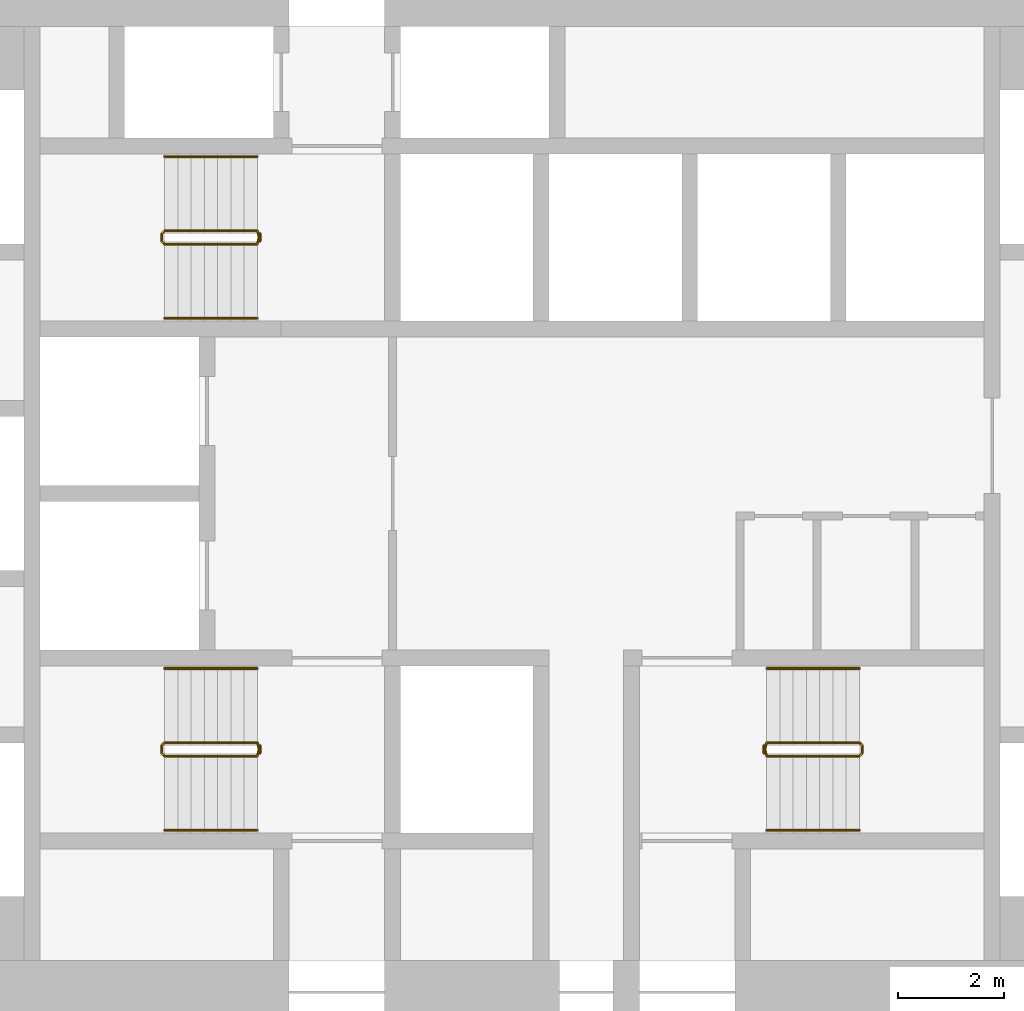
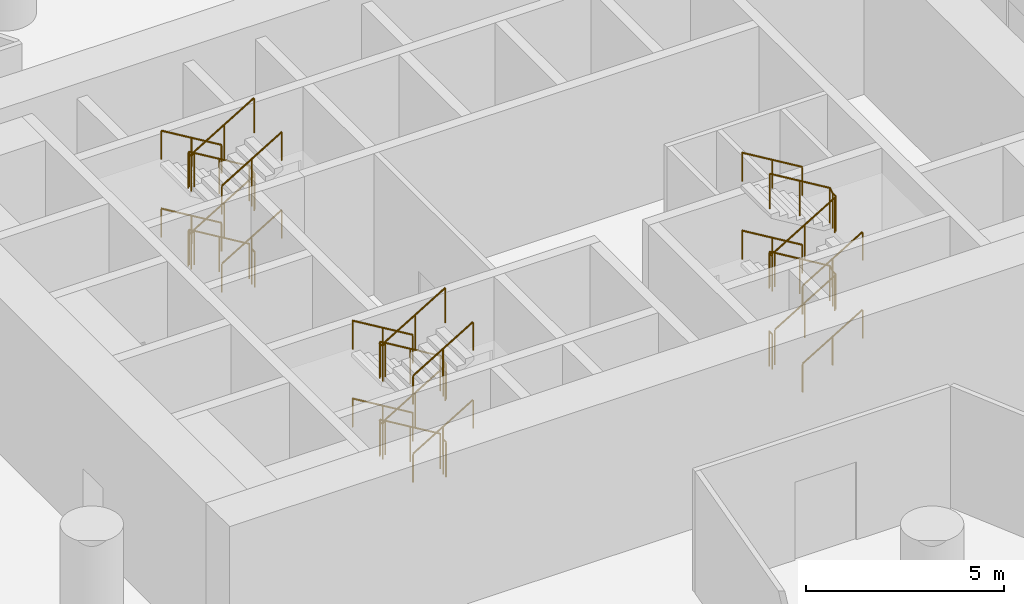
# One storey, part 11 of 11: 18 railings.
"""IFC4 building model written with IfcOpenShell, lengths in metres."""

from ifc_helpers import new_model, si_unit, direction, frame, origin, origin_2d, place, context, subcontext, project, spatial, circle, extrude, material, type_object, element, save


model = new_model("IFC4")

# Units and contexts
model_context = context("Model", 3, precision=1e-05, world=origin(), true_north=direction((0.0, 1.0)))
body_context = subcontext(model_context, "Body", "Model", "MODEL_VIEW")
ifc_project = project(units=[si_unit("LENGTHUNIT", "METRE"), si_unit("AREAUNIT", "SQUARE_METRE"), si_unit("VOLUMEUNIT", "CUBIC_METRE"), si_unit("PLANEANGLEUNIT", "RADIAN"), si_unit("MASSUNIT", "GRAM", prefix="KILO")], contexts=[model_context])

# Site, building, storey
site_placement = place(None, origin())
site = spatial("IfcSite", under=ifc_project, at=site_placement, CompositionType="ELEMENT")
building_placement = place(site_placement, origin())
building = spatial("IfcBuilding", under=site, at=building_placement, Name="Tracery Tower", CompositionType="ELEMENT")
storey_placement = place(building_placement, frame((0.0, 0.0, 18.60009765625)))
storey = spatial("IfcBuildingStorey", under=building, at=storey_placement, Name="L03", CompositionType="ELEMENT", Elevation=18.60009765625)

# Railings
ifc_material_1 = material(Name="Stainless steel and laminated glass", Category="steel")
railing_type_1 = type_object("IfcRailingType", Name="Stair guard 1100", PredefinedType="GUARDRAIL", material=ifc_material_1)
railing_1_placement = place(storey_placement, frame((-4.800048828125, -4.699951171875, 0.14990234375)))
element("IfcRailing", 1, at=railing_1_placement, inside=storey, type_object=railing_type_1, Name="L03 stair ST1 guard 1", PredefinedType="GUARDRAIL", context=body_context, shape_type="SweptSolid", body=[
    extrude(circle(Radius=0.02392578125, at=origin_2d()), frame((0.0, 0.0, 1.076171875), z_axis=(-0.857482370257, 0.0, 0.514513347444), x_axis=(0.0, -1.0, 0.0)), (0.0, 0.0, 1.0), 2.040771484375),
    extrude(circle(Radius=0.02392578125, at=origin_2d()), frame((-1.75, 0.0, 2.1259765625), z_axis=(-0.707106781187, -0.707106781187, 0.0), x_axis=(0.707106781187, -0.707106781187, 0.0)), (0.0, 0.0, 1.0), 0.07080078125),
    extrude(circle(Radius=0.02392578125, at=origin_2d()), frame((-1.800048828125, -0.050048828125, 2.1259765625), z_axis=(0.0, -1.0, 0.0), x_axis=(1.0, 0.0, 0.0)), (0.0, 0.0, 1.0), 0.14990234375),
    extrude(circle(Radius=0.02392578125, at=origin_2d()), frame((-1.800048828125, -0.199951171875, 2.1259765625), z_axis=(0.301912943143, -0.301912943143, 0.904266083366), x_axis=(0.707106781187, 0.707106781187, 0.0)), (0.0, 0.0, 1.0), 0.165771484375),
    extrude(circle(Radius=0.02392578125, at=origin_2d()), frame((-1.75, -0.25, 2.27587890625), z_axis=(0.857482370257, 0.0, 0.514513347444), x_axis=(0.0, 1.0, 0.0)), (0.0, 0.0, 1.0), 2.040771484375),
    extrude(circle(Radius=0.02392578125, at=origin_2d()), frame((0.0, -0.25, 3.326171875), z_axis=(0.242814311512, 0.970072785993, 0.0), x_axis=(-0.970072785993, 0.242814311512, 0.0)), (0.0, 0.0, 1.0), 0.2060546875),
    extrude(circle(Radius=0.02392578125, at=origin_2d()), frame((0.050048828125, -0.050048828125, 3.326171875), z_axis=(0.0, -1.0, 0.0), x_axis=(1.0, 0.0, 0.0)), (0.0, 0.0, 1.0), 0.14990234375),
    extrude(circle(Radius=0.02392578125, at=origin_2d()), frame((0.050048828125, -0.199951171875, 3.326171875), z_axis=(-0.196374026855, 0.784538185338, 0.588164158483), x_axis=(-0.970072785993, -0.242814311512, 0.0)), (0.0, 0.0, 1.0), 0.2548828125),
    extrude(circle(Radius=0.02392578125, at=origin_2d()), frame((0.0, 0.0, 3.47607421875), z_axis=(-0.857482370257, 0.0, 0.514513347444), x_axis=(0.0, -1.0, 0.0)), (0.0, 0.0, 1.0), 2.040771484375),
    extrude(circle(Radius=0.02392578125, at=origin_2d()), frame((-1.75, 0.0, 4.52587890625), z_axis=(-0.707106781187, -0.707106781187, 0.0), x_axis=(0.707106781187, -0.707106781187, 0.0)), (0.0, 0.0, 1.0), 0.07080078125),
    extrude(circle(Radius=0.02392578125, at=origin_2d()), frame((-1.800048828125, -0.050048828125, 4.52587890625), z_axis=(0.0, -1.0, 0.0), x_axis=(1.0, 0.0, 0.0)), (0.0, 0.0, 1.0), 0.14990234375),
    extrude(circle(Radius=0.02392578125, at=origin_2d()), frame((-1.800048828125, -0.199951171875, 4.52587890625), z_axis=(0.301511344578, -0.301511344578, 0.904534033733), x_axis=(0.707106781187, 0.707106781187, 0.0)), (0.0, 0.0, 1.0), 0.166015625),
    extrude(circle(Radius=0.02392578125, at=origin_2d()), frame((-1.75, -0.25, 4.67626953125), z_axis=(0.857535146522, 0.0, 0.514425380866), x_axis=(0.0, 1.0, 0.0)), (0.0, 0.0, 1.0), 2.040771484375),
    extrude(circle(Radius=0.02099609375, at=origin_2d()), origin(), (0.0, 0.0, 1.0), 1.052001953125),
    extrude(circle(Radius=0.02099609375, at=origin_2d()), frame((-0.875, 0.0, 0.52490234375)), (0.0, 0.0, 1.0), 1.052001953125),
    extrude(circle(Radius=0.02099609375, at=origin_2d()), frame((-1.75, 0.0, 1.050048828125)), (0.0, 0.0, 1.0), 1.052001953125),
    extrude(circle(Radius=0.02099609375, at=origin_2d()), frame((-1.800048828125, -0.050048828125, 1.050048828125)), (0.0, 0.0, 1.0), 1.052001953125),
    extrude(circle(Radius=0.02099609375, at=origin_2d()), frame((-1.800048828125, -0.199951171875, 1.050048828125)), (0.0, 0.0, 1.0), 1.052001953125),
    extrude(circle(Radius=0.02099609375, at=origin_2d()), frame((-1.75, -0.25, 1.199951171875)), (0.0, 0.0, 1.0), 1.052001953125),
    extrude(circle(Radius=0.02099609375, at=origin_2d()), frame((-0.875, -0.25, 1.72509765625)), (0.0, 0.0, 1.0), 1.052001953125),
    extrude(circle(Radius=0.02099609375, at=origin_2d()), frame((0.0, -0.25, 2.25)), (0.0, 0.0, 1.0), 1.052001953125),
    extrude(circle(Radius=0.02099609375, at=origin_2d()), frame((0.050048828125, -0.050048828125, 2.25)), (0.0, 0.0, 1.0), 1.052001953125),
    extrude(circle(Radius=0.02099609375, at=origin_2d()), frame((0.050048828125, -0.199951171875, 2.25)), (0.0, 0.0, 1.0), 1.052001953125),
    extrude(circle(Radius=0.02099609375, at=origin_2d()), frame((0.0, 0.0, 2.39990234375)), (0.0, 0.0, 1.0), 1.052001953125),
    extrude(circle(Radius=0.02099609375, at=origin_2d()), frame((-0.875, 0.0, 2.9248046875)), (0.0, 0.0, 1.0), 1.052001953125),
    extrude(circle(Radius=0.02099609375, at=origin_2d()), frame((-1.75, 0.0, 3.449951171875)), (0.0, 0.0, 1.0), 1.052001953125),
    extrude(circle(Radius=0.02099609375, at=origin_2d()), frame((-1.800048828125, -0.050048828125, 3.449951171875)), (0.0, 0.0, 1.0), 1.052001953125),
    extrude(circle(Radius=0.02099609375, at=origin_2d()), frame((-1.800048828125, -0.199951171875, 3.449951171875)), (0.0, 0.0, 1.0), 1.052001953125),
    extrude(circle(Radius=0.02099609375, at=origin_2d()), frame((-1.75, -0.25, 3.60009765625)), (0.0, 0.0, 1.0), 1.052001953125),
    extrude(circle(Radius=0.02099609375, at=origin_2d()), frame((-0.875, -0.25, 4.125)), (0.0, 0.0, 1.0), 1.052001953125),
    extrude(circle(Radius=0.02099609375, at=origin_2d()), frame((0.0, -0.25, 4.64990234375)), (0.0, 0.0, 1.0), 1.052001953125),
])
railing_2_placement = place(storey_placement, frame((-4.75, -4.75, 0.0)))
element("IfcRailing", 2, at=railing_2_placement, inside=storey, type_object=railing_type_1, Name="L03 stair ST1 guard 2", PredefinedType="GUARDRAIL", context=body_context, shape_type="SweptSolid", body=[
    extrude(circle(Radius=0.02392578125, at=origin_2d()), frame((0.0, 0.0, 1.076171875), z_axis=(0.0, -1.0, 0.0), x_axis=(1.0, 0.0, 0.0)), (0.0, 0.0, 1.0), 0.14990234375),
    extrude(circle(Radius=0.02099609375, at=origin_2d()), origin(), (0.0, 0.0, 1.0), 1.052001953125),
    extrude(circle(Radius=0.02099609375, at=origin_2d()), frame((0.0, -0.14990234375, 0.0)), (0.0, 0.0, 1.0), 1.052001953125),
])
railing_3_placement = place(storey_placement, frame((-4.800048828125, 4.949951171875, 0.14990234375)))
element("IfcRailing", 3, at=railing_3_placement, inside=storey, type_object=railing_type_1, Name="L03 stair ST3 guard 1", PredefinedType="GUARDRAIL", context=body_context, shape_type="SweptSolid", body=[
    extrude(circle(Radius=0.02392578125, at=origin_2d()), frame((0.0, 0.0, 1.076171875), z_axis=(-0.857482370257, 0.0, 0.514513347444), x_axis=(0.0, -1.0, 0.0)), (0.0, 0.0, 1.0), 2.040771484375),
    extrude(circle(Radius=0.02392578125, at=origin_2d()), frame((-1.75, 0.0, 2.1259765625), z_axis=(-0.707106781187, -0.707106781187, 0.0), x_axis=(0.707106781187, -0.707106781187, 0.0)), (0.0, 0.0, 1.0), 0.07080078125),
    extrude(circle(Radius=0.02392578125, at=origin_2d()), frame((-1.800048828125, -0.050048828125, 2.1259765625), z_axis=(0.0, -1.0, 0.0), x_axis=(1.0, 0.0, 0.0)), (0.0, 0.0, 1.0), 0.14990234375),
    extrude(circle(Radius=0.02392578125, at=origin_2d()), frame((-1.800048828125, -0.199951171875, 2.1259765625), z_axis=(0.301912943143, -0.301912943143, 0.904266083366), x_axis=(0.707106781187, 0.707106781187, 0.0)), (0.0, 0.0, 1.0), 0.165771484375),
    extrude(circle(Radius=0.02392578125, at=origin_2d()), frame((-1.75, -0.25, 2.27587890625), z_axis=(0.857482370257, 0.0, 0.514513347444), x_axis=(0.0, 1.0, 0.0)), (0.0, 0.0, 1.0), 2.040771484375),
    extrude(circle(Radius=0.02392578125, at=origin_2d()), frame((0.0, -0.25, 3.326171875), z_axis=(0.242814311512, 0.970072785993, 0.0), x_axis=(-0.970072785993, 0.242814311512, 0.0)), (0.0, 0.0, 1.0), 0.2060546875),
    extrude(circle(Radius=0.02392578125, at=origin_2d()), frame((0.050048828125, -0.050048828125, 3.326171875), z_axis=(0.0, -1.0, 0.0), x_axis=(1.0, 0.0, 0.0)), (0.0, 0.0, 1.0), 0.14990234375),
    extrude(circle(Radius=0.02392578125, at=origin_2d()), frame((0.050048828125, -0.199951171875, 3.326171875), z_axis=(-0.196374026855, 0.784538185338, 0.588164158483), x_axis=(-0.970072785993, -0.242814311512, 0.0)), (0.0, 0.0, 1.0), 0.2548828125),
    extrude(circle(Radius=0.02392578125, at=origin_2d()), frame((0.0, 0.0, 3.47607421875), z_axis=(-0.857482370257, 0.0, 0.514513347444), x_axis=(0.0, -1.0, 0.0)), (0.0, 0.0, 1.0), 2.040771484375),
    extrude(circle(Radius=0.02392578125, at=origin_2d()), frame((-1.75, 0.0, 4.52587890625), z_axis=(-0.707106781187, -0.707106781187, 0.0), x_axis=(0.707106781187, -0.707106781187, 0.0)), (0.0, 0.0, 1.0), 0.07080078125),
    extrude(circle(Radius=0.02392578125, at=origin_2d()), frame((-1.800048828125, -0.050048828125, 4.52587890625), z_axis=(0.0, -1.0, 0.0), x_axis=(1.0, 0.0, 0.0)), (0.0, 0.0, 1.0), 0.14990234375),
    extrude(circle(Radius=0.02392578125, at=origin_2d()), frame((-1.800048828125, -0.199951171875, 4.52587890625), z_axis=(0.301511344578, -0.301511344578, 0.904534033733), x_axis=(0.707106781187, 0.707106781187, 0.0)), (0.0, 0.0, 1.0), 0.166015625),
    extrude(circle(Radius=0.02392578125, at=origin_2d()), frame((-1.75, -0.25, 4.67626953125), z_axis=(0.857535146522, 0.0, 0.514425380866), x_axis=(0.0, 1.0, 0.0)), (0.0, 0.0, 1.0), 2.040771484375),
    extrude(circle(Radius=0.02099609375, at=origin_2d()), origin(), (0.0, 0.0, 1.0), 1.052001953125),
    extrude(circle(Radius=0.02099609375, at=origin_2d()), frame((-0.875, 0.0, 0.52490234375)), (0.0, 0.0, 1.0), 1.052001953125),
    extrude(circle(Radius=0.02099609375, at=origin_2d()), frame((-1.75, 0.0, 1.050048828125)), (0.0, 0.0, 1.0), 1.052001953125),
    extrude(circle(Radius=0.02099609375, at=origin_2d()), frame((-1.800048828125, -0.050048828125, 1.050048828125)), (0.0, 0.0, 1.0), 1.052001953125),
    extrude(circle(Radius=0.02099609375, at=origin_2d()), frame((-1.800048828125, -0.199951171875, 1.050048828125)), (0.0, 0.0, 1.0), 1.052001953125),
    extrude(circle(Radius=0.02099609375, at=origin_2d()), frame((-1.75, -0.25, 1.199951171875)), (0.0, 0.0, 1.0), 1.052001953125),
    extrude(circle(Radius=0.02099609375, at=origin_2d()), frame((-0.875, -0.25, 1.72509765625)), (0.0, 0.0, 1.0), 1.052001953125),
    extrude(circle(Radius=0.02099609375, at=origin_2d()), frame((0.0, -0.25, 2.25)), (0.0, 0.0, 1.0), 1.052001953125),
    extrude(circle(Radius=0.02099609375, at=origin_2d()), frame((0.050048828125, -0.050048828125, 2.25)), (0.0, 0.0, 1.0), 1.052001953125),
    extrude(circle(Radius=0.02099609375, at=origin_2d()), frame((0.050048828125, -0.199951171875, 2.25)), (0.0, 0.0, 1.0), 1.052001953125),
    extrude(circle(Radius=0.02099609375, at=origin_2d()), frame((0.0, 0.0, 2.39990234375)), (0.0, 0.0, 1.0), 1.052001953125),
    extrude(circle(Radius=0.02099609375, at=origin_2d()), frame((-0.875, 0.0, 2.9248046875)), (0.0, 0.0, 1.0), 1.052001953125),
    extrude(circle(Radius=0.02099609375, at=origin_2d()), frame((-1.75, 0.0, 3.449951171875)), (0.0, 0.0, 1.0), 1.052001953125),
    extrude(circle(Radius=0.02099609375, at=origin_2d()), frame((-1.800048828125, -0.050048828125, 3.449951171875)), (0.0, 0.0, 1.0), 1.052001953125),
    extrude(circle(Radius=0.02099609375, at=origin_2d()), frame((-1.800048828125, -0.199951171875, 3.449951171875)), (0.0, 0.0, 1.0), 1.052001953125),
    extrude(circle(Radius=0.02099609375, at=origin_2d()), frame((-1.75, -0.25, 3.60009765625)), (0.0, 0.0, 1.0), 1.052001953125),
    extrude(circle(Radius=0.02099609375, at=origin_2d()), frame((-0.875, -0.25, 4.125)), (0.0, 0.0, 1.0), 1.052001953125),
    extrude(circle(Radius=0.02099609375, at=origin_2d()), frame((0.0, -0.25, 4.64990234375)), (0.0, 0.0, 1.0), 1.052001953125),
])
railing_4_placement = place(storey_placement, frame((-4.75, 4.89990234375, 0.0)))
element("IfcRailing", 4, at=railing_4_placement, inside=storey, type_object=railing_type_1, Name="L03 stair ST3 guard 2", PredefinedType="GUARDRAIL", context=body_context, shape_type="SweptSolid", body=[
    extrude(circle(Radius=0.02392578125, at=origin_2d()), frame((0.0, 0.0, 1.076171875), z_axis=(0.0, -1.0, 0.0), x_axis=(1.0, 0.0, 0.0)), (0.0, 0.0, 1.0), 0.14990234375),
    extrude(circle(Radius=0.02099609375, at=origin_2d()), origin(), (0.0, 0.0, 1.0), 1.052001953125),
    extrude(circle(Radius=0.02099609375, at=origin_2d()), frame((0.0, -0.14990234375, 0.0)), (0.0, 0.0, 1.0), 1.052001953125),
])
railing_5_placement = place(storey_placement, frame((4.800048828125, -4.949951171875, 0.14990234375)))
element("IfcRailing", 5, at=railing_5_placement, inside=storey, type_object=railing_type_1, Name="L03 stair ST2 guard 1", PredefinedType="GUARDRAIL", context=body_context, shape_type="SweptSolid", body=[
    extrude(circle(Radius=0.02392578125, at=origin_2d()), frame((0.0, 0.0, 1.076171875), z_axis=(0.857482370257, 0.0, 0.514513347444), x_axis=(0.0, 1.0, 0.0)), (0.0, 0.0, 1.0), 2.040771484375),
    extrude(circle(Radius=0.02392578125, at=origin_2d()), frame((1.75, 0.0, 2.1259765625), z_axis=(0.707106781187, 0.707106781187, 0.0), x_axis=(-0.707106781187, 0.707106781187, 0.0)), (0.0, 0.0, 1.0), 0.07080078125),
    extrude(circle(Radius=0.02392578125, at=origin_2d()), frame((1.800048828125, 0.050048828125, 2.1259765625), z_axis=(0.0, 1.0, 0.0), x_axis=(-1.0, 0.0, 0.0)), (0.0, 0.0, 1.0), 0.14990234375),
    extrude(circle(Radius=0.02392578125, at=origin_2d()), frame((1.800048828125, 0.199951171875, 2.1259765625), z_axis=(-0.301912943143, 0.301912943143, 0.904266083366), x_axis=(-0.707106781187, -0.707106781187, 0.0)), (0.0, 0.0, 1.0), 0.165771484375),
    extrude(circle(Radius=0.02392578125, at=origin_2d()), frame((1.75, 0.25, 2.27587890625), z_axis=(-0.857482370257, 0.0, 0.514513347444), x_axis=(0.0, -1.0, 0.0)), (0.0, 0.0, 1.0), 2.040771484375),
    extrude(circle(Radius=0.02392578125, at=origin_2d()), frame((0.0, 0.25, 3.326171875), z_axis=(-0.242814311512, -0.970072785993, 0.0), x_axis=(0.970072785993, -0.242814311512, 0.0)), (0.0, 0.0, 1.0), 0.2060546875),
    extrude(circle(Radius=0.02392578125, at=origin_2d()), frame((-0.050048828125, 0.050048828125, 3.326171875), z_axis=(0.0, 1.0, 0.0), x_axis=(-1.0, 0.0, 0.0)), (0.0, 0.0, 1.0), 0.14990234375),
    extrude(circle(Radius=0.02392578125, at=origin_2d()), frame((-0.050048828125, 0.199951171875, 3.326171875), z_axis=(0.196374026855, -0.784538185338, 0.588164158483), x_axis=(0.970072785993, 0.242814311512, 0.0)), (0.0, 0.0, 1.0), 0.2548828125),
    extrude(circle(Radius=0.02392578125, at=origin_2d()), frame((0.0, 0.0, 3.47607421875), z_axis=(0.857482370257, 0.0, 0.514513347444), x_axis=(0.0, 1.0, 0.0)), (0.0, 0.0, 1.0), 2.040771484375),
    extrude(circle(Radius=0.02392578125, at=origin_2d()), frame((1.75, 0.0, 4.52587890625), z_axis=(0.707106781187, 0.707106781187, 0.0), x_axis=(-0.707106781187, 0.707106781187, 0.0)), (0.0, 0.0, 1.0), 0.07080078125),
    extrude(circle(Radius=0.02392578125, at=origin_2d()), frame((1.800048828125, 0.050048828125, 4.52587890625), z_axis=(0.0, 1.0, 0.0), x_axis=(-1.0, 0.0, 0.0)), (0.0, 0.0, 1.0), 0.14990234375),
    extrude(circle(Radius=0.02392578125, at=origin_2d()), frame((1.800048828125, 0.199951171875, 4.52587890625), z_axis=(-0.301511344578, 0.301511344578, 0.904534033733), x_axis=(-0.707106781187, -0.707106781187, 0.0)), (0.0, 0.0, 1.0), 0.166015625),
    extrude(circle(Radius=0.02392578125, at=origin_2d()), frame((1.75, 0.25, 4.67626953125), z_axis=(-0.857535146522, 0.0, 0.514425380866), x_axis=(0.0, -1.0, 0.0)), (0.0, 0.0, 1.0), 2.040771484375),
    extrude(circle(Radius=0.02099609375, at=origin_2d()), origin(), (0.0, 0.0, 1.0), 1.052001953125),
    extrude(circle(Radius=0.02099609375, at=origin_2d()), frame((0.875, 0.0, 0.52490234375)), (0.0, 0.0, 1.0), 1.052001953125),
    extrude(circle(Radius=0.02099609375, at=origin_2d()), frame((1.75, 0.0, 1.050048828125)), (0.0, 0.0, 1.0), 1.052001953125),
    extrude(circle(Radius=0.02099609375, at=origin_2d()), frame((1.800048828125, 0.050048828125, 1.050048828125)), (0.0, 0.0, 1.0), 1.052001953125),
    extrude(circle(Radius=0.02099609375, at=origin_2d()), frame((1.800048828125, 0.199951171875, 1.050048828125)), (0.0, 0.0, 1.0), 1.052001953125),
    extrude(circle(Radius=0.02099609375, at=origin_2d()), frame((1.75, 0.25, 1.199951171875)), (0.0, 0.0, 1.0), 1.052001953125),
    extrude(circle(Radius=0.02099609375, at=origin_2d()), frame((0.875, 0.25, 1.72509765625)), (0.0, 0.0, 1.0), 1.052001953125),
    extrude(circle(Radius=0.02099609375, at=origin_2d()), frame((0.0, 0.25, 2.25)), (0.0, 0.0, 1.0), 1.052001953125),
    extrude(circle(Radius=0.02099609375, at=origin_2d()), frame((-0.050048828125, 0.050048828125, 2.25)), (0.0, 0.0, 1.0), 1.052001953125),
    extrude(circle(Radius=0.02099609375, at=origin_2d()), frame((-0.050048828125, 0.199951171875, 2.25)), (0.0, 0.0, 1.0), 1.052001953125),
    extrude(circle(Radius=0.02099609375, at=origin_2d()), frame((0.0, 0.0, 2.39990234375)), (0.0, 0.0, 1.0), 1.052001953125),
    extrude(circle(Radius=0.02099609375, at=origin_2d()), frame((0.875, 0.0, 2.9248046875)), (0.0, 0.0, 1.0), 1.052001953125),
    extrude(circle(Radius=0.02099609375, at=origin_2d()), frame((1.75, 0.0, 3.449951171875)), (0.0, 0.0, 1.0), 1.052001953125),
    extrude(circle(Radius=0.02099609375, at=origin_2d()), frame((1.800048828125, 0.050048828125, 3.449951171875)), (0.0, 0.0, 1.0), 1.052001953125),
    extrude(circle(Radius=0.02099609375, at=origin_2d()), frame((1.800048828125, 0.199951171875, 3.449951171875)), (0.0, 0.0, 1.0), 1.052001953125),
    extrude(circle(Radius=0.02099609375, at=origin_2d()), frame((1.75, 0.25, 3.60009765625)), (0.0, 0.0, 1.0), 1.052001953125),
    extrude(circle(Radius=0.02099609375, at=origin_2d()), frame((0.875, 0.25, 4.125)), (0.0, 0.0, 1.0), 1.052001953125),
    extrude(circle(Radius=0.02099609375, at=origin_2d()), frame((0.0, 0.25, 4.64990234375)), (0.0, 0.0, 1.0), 1.052001953125),
])
railing_6_placement = place(storey_placement, frame((4.75, -4.89990234375, 0.0)))
element("IfcRailing", 6, at=railing_6_placement, inside=storey, type_object=railing_type_1, Name="L03 stair ST2 guard 2", PredefinedType="GUARDRAIL", context=body_context, shape_type="SweptSolid", body=[
    extrude(circle(Radius=0.02392578125, at=origin_2d()), frame((0.0, 0.0, 1.076171875), z_axis=(0.0, 1.0, 0.0), x_axis=(-1.0, 0.0, 0.0)), (0.0, 0.0, 1.0), 0.14990234375),
    extrude(circle(Radius=0.02099609375, at=origin_2d()), origin(), (0.0, 0.0, 1.0), 1.052001953125),
    extrude(circle(Radius=0.02099609375, at=origin_2d()), frame((0.0, 0.14990234375, 0.0)), (0.0, 0.0, 1.0), 1.052001953125),
])
ifc_material_2 = material(Name="Stainless steel and laminated glass", Category="steel")
railing_type_2 = type_object("IfcRailingType", Name="Stair handrail 900", PredefinedType="HANDRAIL", material=ifc_material_2)
railing_7_placement = place(storey_placement, frame((-4.800048828125, -3.300048828125, 0.14990234375)))
element("IfcRailing", 7, at=railing_7_placement, inside=storey, type_object=railing_type_2, Name="L03 stair ST1 handrail 1", PredefinedType="HANDRAIL", context=body_context, shape_type="SweptSolid", body=[
    extrude(circle(Radius=0.02392578125, at=origin_2d()), frame((0.0, 0.0, 0.8759765625), z_axis=(-0.857482370257, 0.0, 0.514513347444), x_axis=(0.0, -1.0, 0.0)), (0.0, 0.0, 1.0), 2.040771484375),
    extrude(circle(Radius=0.02099609375, at=origin_2d()), origin(), (0.0, 0.0, 1.0), 0.851806640625),
    extrude(circle(Radius=0.02099609375, at=origin_2d()), frame((-0.875, 0.0, 0.52490234375)), (0.0, 0.0, 1.0), 0.851806640625),
    extrude(circle(Radius=0.02099609375, at=origin_2d()), frame((-1.75, 0.0, 1.050048828125)), (0.0, 0.0, 1.0), 0.851806640625),
])
railing_8_placement = place(storey_placement, frame((-6.550048828125, -6.35009765625, 1.349853515625)))
element("IfcRailing", 8, at=railing_8_placement, inside=storey, type_object=railing_type_2, Name="L03 stair ST1 handrail 2", PredefinedType="HANDRAIL", context=body_context, shape_type="SweptSolid", body=[
    extrude(circle(Radius=0.02392578125, at=origin_2d()), frame((0.0, 0.0, 0.8759765625), z_axis=(0.857482370257, 0.0, 0.514513347444), x_axis=(0.0, 1.0, 0.0)), (0.0, 0.0, 1.0), 2.040771484375),
    extrude(circle(Radius=0.02099609375, at=origin_2d()), origin(), (0.0, 0.0, 1.0), 0.851806640625),
    extrude(circle(Radius=0.02099609375, at=origin_2d()), frame((0.875, 0.0, 0.52490234375)), (0.0, 0.0, 1.0), 0.851806640625),
    extrude(circle(Radius=0.02099609375, at=origin_2d()), frame((1.75, 0.0, 1.050048828125)), (0.0, 0.0, 1.0), 0.851806640625),
])
railing_9_placement = place(storey_placement, frame((-4.800048828125, -3.300048828125, 2.5498046875)))
element("IfcRailing", 9, at=railing_9_placement, inside=storey, type_object=railing_type_2, Name="L03 stair ST1 handrail 3", PredefinedType="HANDRAIL", context=body_context, shape_type="SweptSolid", body=[
    extrude(circle(Radius=0.02392578125, at=origin_2d()), frame((0.0, 0.0, 0.8759765625), z_axis=(-0.857482370257, 0.0, 0.514513347444), x_axis=(0.0, -1.0, 0.0)), (0.0, 0.0, 1.0), 2.040771484375),
    extrude(circle(Radius=0.02099609375, at=origin_2d()), origin(), (0.0, 0.0, 1.0), 0.851806640625),
    extrude(circle(Radius=0.02099609375, at=origin_2d()), frame((-0.875, 0.0, 0.52490234375)), (0.0, 0.0, 1.0), 0.851806640625),
    extrude(circle(Radius=0.02099609375, at=origin_2d()), frame((-1.75, 0.0, 1.050048828125)), (0.0, 0.0, 1.0), 0.851806640625),
])
railing_10_placement = place(storey_placement, frame((-6.550048828125, -6.35009765625, 3.75)))
element("IfcRailing", 10, at=railing_10_placement, inside=storey, type_object=railing_type_2, Name="L03 stair ST1 handrail 4", PredefinedType="HANDRAIL", context=body_context, shape_type="SweptSolid", body=[
    extrude(circle(Radius=0.02392578125, at=origin_2d()), frame((0.0, 0.0, 0.8759765625), z_axis=(0.857535146522, 0.0, 0.514425380866), x_axis=(0.0, 1.0, 0.0)), (0.0, 0.0, 1.0), 2.040771484375),
    extrude(circle(Radius=0.02099609375, at=origin_2d()), origin(), (0.0, 0.0, 1.0), 0.851806640625),
    extrude(circle(Radius=0.02099609375, at=origin_2d()), frame((0.875, 0.0, 0.52490234375)), (0.0, 0.0, 1.0), 0.851806640625),
    extrude(circle(Radius=0.02099609375, at=origin_2d()), frame((1.75, 0.0, 1.0498046875)), (0.0, 0.0, 1.0), 0.851806640625),
])
railing_11_placement = place(storey_placement, frame((-4.800048828125, 6.35009765625, 0.14990234375)))
element("IfcRailing", 11, at=railing_11_placement, inside=storey, type_object=railing_type_2, Name="L03 stair ST3 handrail 1", PredefinedType="HANDRAIL", context=body_context, shape_type="SweptSolid", body=[
    extrude(circle(Radius=0.02392578125, at=origin_2d()), frame((0.0, 0.0, 0.8759765625), z_axis=(-0.857482370257, 0.0, 0.514513347444), x_axis=(0.0, -1.0, 0.0)), (0.0, 0.0, 1.0), 2.040771484375),
    extrude(circle(Radius=0.02099609375, at=origin_2d()), origin(), (0.0, 0.0, 1.0), 0.851806640625),
    extrude(circle(Radius=0.02099609375, at=origin_2d()), frame((-0.875, 0.0, 0.52490234375)), (0.0, 0.0, 1.0), 0.851806640625),
    extrude(circle(Radius=0.02099609375, at=origin_2d()), frame((-1.75, 0.0, 1.050048828125)), (0.0, 0.0, 1.0), 0.851806640625),
])
railing_12_placement = place(storey_placement, frame((-6.550048828125, 3.300048828125, 1.349853515625)))
element("IfcRailing", 12, at=railing_12_placement, inside=storey, type_object=railing_type_2, Name="L03 stair ST3 handrail 2", PredefinedType="HANDRAIL", context=body_context, shape_type="SweptSolid", body=[
    extrude(circle(Radius=0.02392578125, at=origin_2d()), frame((0.0, 0.0, 0.8759765625), z_axis=(0.857482370257, 0.0, 0.514513347444), x_axis=(0.0, 1.0, 0.0)), (0.0, 0.0, 1.0), 2.040771484375),
    extrude(circle(Radius=0.02099609375, at=origin_2d()), origin(), (0.0, 0.0, 1.0), 0.851806640625),
    extrude(circle(Radius=0.02099609375, at=origin_2d()), frame((0.875, 0.0, 0.52490234375)), (0.0, 0.0, 1.0), 0.851806640625),
    extrude(circle(Radius=0.02099609375, at=origin_2d()), frame((1.75, 0.0, 1.050048828125)), (0.0, 0.0, 1.0), 0.851806640625),
])
railing_13_placement = place(storey_placement, frame((-4.800048828125, 6.35009765625, 2.5498046875)))
element("IfcRailing", 13, at=railing_13_placement, inside=storey, type_object=railing_type_2, Name="L03 stair ST3 handrail 3", PredefinedType="HANDRAIL", context=body_context, shape_type="SweptSolid", body=[
    extrude(circle(Radius=0.02392578125, at=origin_2d()), frame((0.0, 0.0, 0.8759765625), z_axis=(-0.857482370257, 0.0, 0.514513347444), x_axis=(0.0, -1.0, 0.0)), (0.0, 0.0, 1.0), 2.040771484375),
    extrude(circle(Radius=0.02099609375, at=origin_2d()), origin(), (0.0, 0.0, 1.0), 0.851806640625),
    extrude(circle(Radius=0.02099609375, at=origin_2d()), frame((-0.875, 0.0, 0.52490234375)), (0.0, 0.0, 1.0), 0.851806640625),
    extrude(circle(Radius=0.02099609375, at=origin_2d()), frame((-1.75, 0.0, 1.050048828125)), (0.0, 0.0, 1.0), 0.851806640625),
])
railing_14_placement = place(storey_placement, frame((-6.550048828125, 3.300048828125, 3.75)))
element("IfcRailing", 14, at=railing_14_placement, inside=storey, type_object=railing_type_2, Name="L03 stair ST3 handrail 4", PredefinedType="HANDRAIL", context=body_context, shape_type="SweptSolid", body=[
    extrude(circle(Radius=0.02392578125, at=origin_2d()), frame((0.0, 0.0, 0.8759765625), z_axis=(0.857535146522, 0.0, 0.514425380866), x_axis=(0.0, 1.0, 0.0)), (0.0, 0.0, 1.0), 2.040771484375),
    extrude(circle(Radius=0.02099609375, at=origin_2d()), origin(), (0.0, 0.0, 1.0), 0.851806640625),
    extrude(circle(Radius=0.02099609375, at=origin_2d()), frame((0.875, 0.0, 0.52490234375)), (0.0, 0.0, 1.0), 0.851806640625),
    extrude(circle(Radius=0.02099609375, at=origin_2d()), frame((1.75, 0.0, 1.0498046875)), (0.0, 0.0, 1.0), 0.851806640625),
])
railing_15_placement = place(storey_placement, frame((4.800048828125, -6.35009765625, 0.14990234375)))
element("IfcRailing", 15, at=railing_15_placement, inside=storey, type_object=railing_type_2, Name="L03 stair ST2 handrail 1", PredefinedType="HANDRAIL", context=body_context, shape_type="SweptSolid", body=[
    extrude(circle(Radius=0.02392578125, at=origin_2d()), frame((0.0, 0.0, 0.8759765625), z_axis=(0.857482370257, 0.0, 0.514513347444), x_axis=(0.0, 1.0, 0.0)), (0.0, 0.0, 1.0), 2.040771484375),
    extrude(circle(Radius=0.02099609375, at=origin_2d()), origin(), (0.0, 0.0, 1.0), 0.851806640625),
    extrude(circle(Radius=0.02099609375, at=origin_2d()), frame((0.875, 0.0, 0.52490234375)), (0.0, 0.0, 1.0), 0.851806640625),
    extrude(circle(Radius=0.02099609375, at=origin_2d()), frame((1.75, 0.0, 1.050048828125)), (0.0, 0.0, 1.0), 0.851806640625),
])
railing_16_placement = place(storey_placement, frame((6.550048828125, -3.300048828125, 1.349853515625)))
element("IfcRailing", 16, at=railing_16_placement, inside=storey, type_object=railing_type_2, Name="L03 stair ST2 handrail 2", PredefinedType="HANDRAIL", context=body_context, shape_type="SweptSolid", body=[
    extrude(circle(Radius=0.02392578125, at=origin_2d()), frame((0.0, 0.0, 0.8759765625), z_axis=(-0.857482370257, 0.0, 0.514513347444), x_axis=(0.0, -1.0, 0.0)), (0.0, 0.0, 1.0), 2.040771484375),
    extrude(circle(Radius=0.02099609375, at=origin_2d()), origin(), (0.0, 0.0, 1.0), 0.851806640625),
    extrude(circle(Radius=0.02099609375, at=origin_2d()), frame((-0.875, 0.0, 0.52490234375)), (0.0, 0.0, 1.0), 0.851806640625),
    extrude(circle(Radius=0.02099609375, at=origin_2d()), frame((-1.75, 0.0, 1.050048828125)), (0.0, 0.0, 1.0), 0.851806640625),
])
railing_17_placement = place(storey_placement, frame((4.800048828125, -6.35009765625, 2.5498046875)))
element("IfcRailing", 17, at=railing_17_placement, inside=storey, type_object=railing_type_2, Name="L03 stair ST2 handrail 3", PredefinedType="HANDRAIL", context=body_context, shape_type="SweptSolid", body=[
    extrude(circle(Radius=0.02392578125, at=origin_2d()), frame((0.0, 0.0, 0.8759765625), z_axis=(0.857482370257, 0.0, 0.514513347444), x_axis=(0.0, 1.0, 0.0)), (0.0, 0.0, 1.0), 2.040771484375),
    extrude(circle(Radius=0.02099609375, at=origin_2d()), origin(), (0.0, 0.0, 1.0), 0.851806640625),
    extrude(circle(Radius=0.02099609375, at=origin_2d()), frame((0.875, 0.0, 0.52490234375)), (0.0, 0.0, 1.0), 0.851806640625),
    extrude(circle(Radius=0.02099609375, at=origin_2d()), frame((1.75, 0.0, 1.050048828125)), (0.0, 0.0, 1.0), 0.851806640625),
])
railing_18_placement = place(storey_placement, frame((6.550048828125, -3.300048828125, 3.75)))
element("IfcRailing", 18, at=railing_18_placement, inside=storey, type_object=railing_type_2, Name="L03 stair ST2 handrail 4", PredefinedType="HANDRAIL", context=body_context, shape_type="SweptSolid", body=[
    extrude(circle(Radius=0.02392578125, at=origin_2d()), frame((0.0, 0.0, 0.8759765625), z_axis=(-0.857535146522, 0.0, 0.514425380866), x_axis=(0.0, -1.0, 0.0)), (0.0, 0.0, 1.0), 2.040771484375),
    extrude(circle(Radius=0.02099609375, at=origin_2d()), origin(), (0.0, 0.0, 1.0), 0.851806640625),
    extrude(circle(Radius=0.02099609375, at=origin_2d()), frame((-0.875, 0.0, 0.52490234375)), (0.0, 0.0, 1.0), 0.851806640625),
    extrude(circle(Radius=0.02099609375, at=origin_2d()), frame((-1.75, 0.0, 1.0498046875)), (0.0, 0.0, 1.0), 0.851806640625),
])

save(model, "model.ifc")
